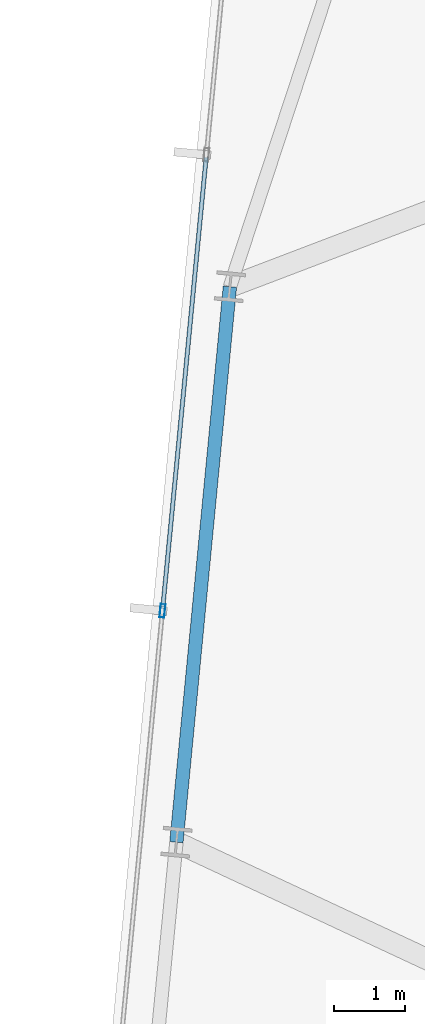
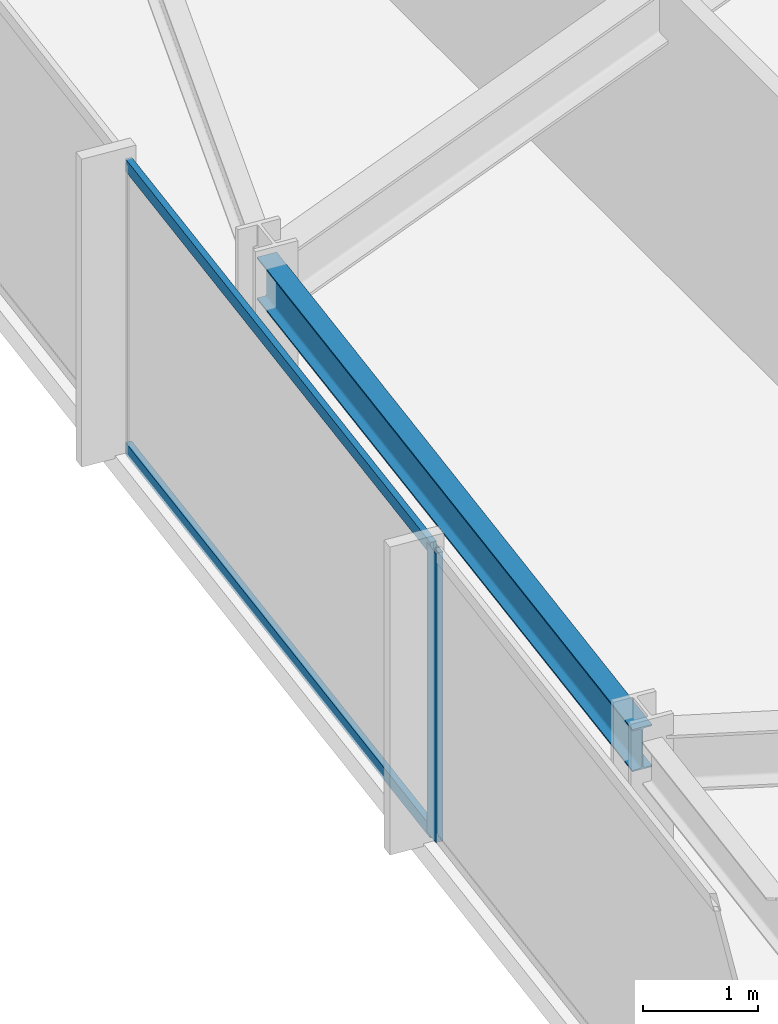
# One storey, part 10 of 38: 3 members, 1 beam, 1 element without a shape of its own.
"""IFC4 building model written with IfcOpenShell, lengths in metres."""

from ifc_helpers import new_model, si_unit, direction, frame, origin, origin_2d, place, context, subcontext, project, spatial, hollow_rectangle, i_section, extrude, material, material_profile, profile_set, type_object, element, aggregate, save


model = new_model("IFC4")

# Units and contexts
model_context = context("Model", 3, precision=1e-05, world=origin(), true_north=direction((0.0, 1.0)))
body_context = subcontext(model_context, "Body", "Model", "MODEL_VIEW")
ifc_project = project(units=[si_unit("LENGTHUNIT", "METRE"), si_unit("AREAUNIT", "SQUARE_METRE"), si_unit("VOLUMEUNIT", "CUBIC_METRE"), si_unit("PLANEANGLEUNIT", "RADIAN"), si_unit("MASSUNIT", "GRAM", prefix="KILO")], contexts=[model_context])

# Site, building, storey
site_placement = place(None, origin())
site = spatial("IfcSite", under=ifc_project, at=site_placement, CompositionType="ELEMENT")
building_placement = place(site_placement, origin())
building = spatial("IfcBuilding", under=site, at=building_placement, Name="Yelkora Congress Tower", CompositionType="ELEMENT")
storey_placement = place(building_placement, frame((0.0, 0.0, 178.699951171875)))
storey = spatial("IfcBuildingStorey", under=building, at=storey_placement, Name="L49", CompositionType="ELEMENT", Elevation=178.699951171875)

# Beam
ifc_material_1 = material(Name="Steel S355J2", Category="steel")
ifc_material_profile_1 = material_profile(ifc_material_1, i_section(OverallWidth=0.18994140625, OverallDepth=0.449951171875, WebThickness=0.009521484375, FlangeThickness=0.0146484375, FilletRadius=0.02099609375, at=origin_2d()), Name="IPE 450")
ifc_profile_set_1 = profile_set([ifc_material_profile_1], Name="Steel S355J2")
beam_type = type_object("IfcBeamType", Name="BM-SPAN-IPE450", PredefinedType="SPANDREL", material=ifc_profile_set_1)
beam_placement = place(storey_placement, frame((4.121826171875, 40.4580078125, 2.85498046875), z_axis=(-0.095864922257, -0.995394352345, 0.0), x_axis=(0.995394352345, -0.095864922257, 0.0)))
element("IfcBeam", 1, at=beam_placement, inside=storey, type_object=beam_type, Name="L49 Perimeter Beam 17", PredefinedType="SPANDREL", context=body_context, shape_type="SweptSolid", body=[
    extrude(i_section(OverallWidth=0.18994140625, OverallDepth=0.449951171875, WebThickness=0.009521484375, FlangeThickness=0.0146484375, FilletRadius=0.02099609375, at=origin_2d()), origin(), (0.0, 0.0, 1.0), 7.89990234375),
])

# Curtain wall, members
ifc_material_2 = material(Name="Anodised aluminium and insulated glass", Category="aluminium")
curtain_wall_type = type_object("IfcCurtainWallType", Name="CW-SYS-B3", PredefinedType="NOTDEFINED", material=ifc_material_2)
curtain_wall_placement = place(storey_placement, origin())
curtain_wall = element("IfcCurtainWall", 2, at=curtain_wall_placement, inside=storey, type_object=curtain_wall_type, Name="L49 Unitised Curtain Wall 5", PredefinedType="NOTDEFINED")
ifc_material_3 = material(Name="Anodised aluminium 6063-T6", Category="aluminium")
ifc_material_profile_2 = material_profile(ifc_material_3, hollow_rectangle(XDim=0.070068359375, YDim=0.18994140625, WallThickness=0.00390625, at=origin_2d()), Name="ALU 70x190x4")
ifc_profile_set_2 = profile_set([ifc_material_profile_2], Name="Anodised aluminium 6063-T6")
member_type_1 = type_object("IfcMemberType", Name="MEM-ML-B3", PredefinedType="MULLION", material=ifc_profile_set_2)
member_1_placement = place(storey_placement, frame((3.167724609375, 35.870361328125, 0.0), z_axis=(0.0, 0.0, 1.0), x_axis=(-0.995396242473, 0.095845294465, 0.0)))
member_1 = element("IfcMember", 3, at=member_1_placement, type_object=member_type_1, Name="CW-B3 mullion 4", PredefinedType="MULLION", context=body_context, shape_type="SweptSolid", body=[
    extrude(hollow_rectangle(XDim=0.070068359375, YDim=0.18994140625, WallThickness=0.00390625, at=origin_2d()), origin(), (0.0, 0.0, 1.0), 3.080078125),
])
ifc_material_profile_3 = material_profile(ifc_material_3, hollow_rectangle(XDim=0.06005859375, YDim=0.1298828125, WallThickness=0.00390625, at=origin_2d()), Name="ALU 60x130x4")
ifc_profile_set_3 = profile_set([ifc_material_profile_3], Name="Anodised aluminium 6063-T6")
member_type_2 = type_object("IfcMemberType", Name="MEM-TR-B3", PredefinedType="USERDEFINED", material=ifc_profile_set_3)
member_2_placement = place(storey_placement, frame((3.171142578125, 35.9052734375, 0.030029296875), z_axis=(0.095847313538, 0.995396048057, 0.0), x_axis=(-0.995396048057, 0.095847313538, 0.0)))
member_2 = element("IfcMember", 4, at=member_2_placement, type_object=member_type_2, Name="CW-B3 transom 4.1", ObjectType="TRANSOM", PredefinedType="USERDEFINED", context=body_context, shape_type="SweptSolid", body=[
    extrude(hollow_rectangle(XDim=0.06005859375, YDim=0.1298828125, WallThickness=0.00390625, at=origin_2d()), origin(), (0.0, 0.0, 1.0), 6.413818359375),
])
member_3_placement = place(storey_placement, frame((3.171142578125, 35.9052734375, 3.050048828125), z_axis=(0.095847313538, 0.995396048057, 0.0), x_axis=(-0.995396048057, 0.095847313538, 0.0)))
member_3 = element("IfcMember", 5, at=member_3_placement, type_object=member_type_2, Name="CW-B3 transom 4.2", ObjectType="TRANSOM", PredefinedType="USERDEFINED", context=body_context, shape_type="SweptSolid", body=[
    extrude(hollow_rectangle(XDim=0.06005859375, YDim=0.1298828125, WallThickness=0.00390625, at=origin_2d()), origin(), (0.0, 0.0, 1.0), 6.413818359375),
])
aggregate(curtain_wall, [member_1, member_2, member_3])

save(model, "model.ifc")
